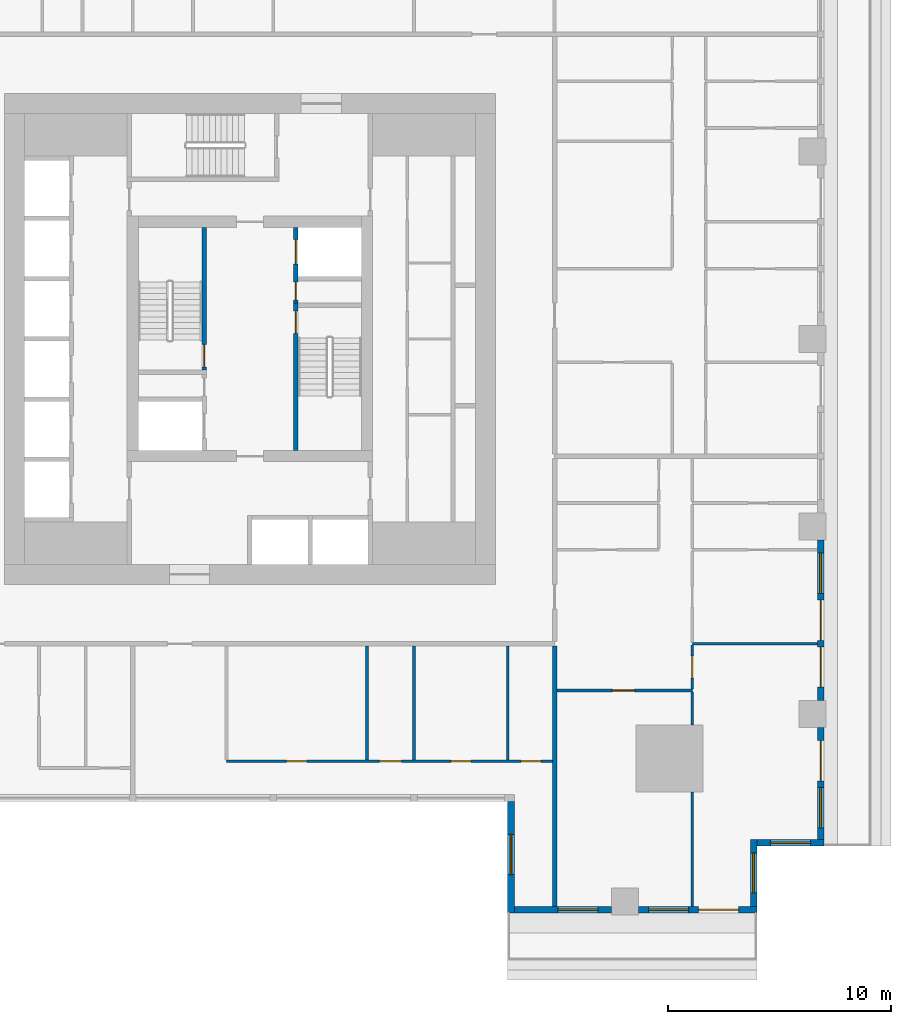
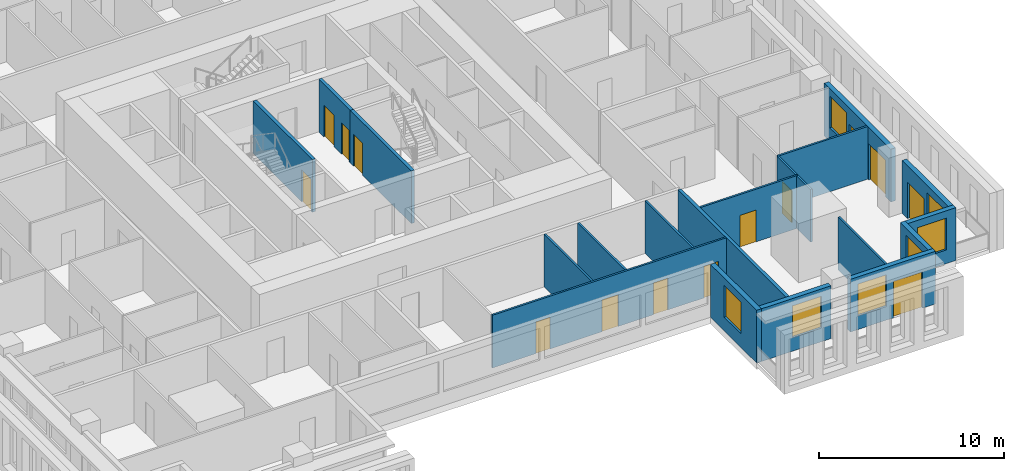
# One storey, part 4 of 14: 20 walls, 14 doors, 7 windows, 21 openings.
"""IFC4 building model written with IfcOpenShell, lengths in metres."""

from ifc_helpers import new_model, si_unit, direction, frame, frame_2d, origin, place, context, subcontext, project, spatial, rectangle, extrude, material, layer, layer_set, type_object, element, fill, save


model = new_model("IFC4")

# Units and contexts
model_context = context("Model", 3, precision=1e-05, world=origin(), true_north=direction((0.0, 1.0)))
body_context = subcontext(model_context, "Body", "Model", "MODEL_VIEW")
ifc_project = project(units=[si_unit("LENGTHUNIT", "METRE"), si_unit("AREAUNIT", "SQUARE_METRE"), si_unit("VOLUMEUNIT", "CUBIC_METRE"), si_unit("PLANEANGLEUNIT", "RADIAN"), si_unit("MASSUNIT", "GRAM", prefix="KILO")], contexts=[model_context])

# Site, building, storey
site_placement = place(None, origin())
site = spatial("IfcSite", under=ifc_project, at=site_placement, CompositionType="ELEMENT")
building_placement = place(site_placement, origin())
building = spatial("IfcBuilding", under=site, at=building_placement, Name="Khepri Terraces", CompositionType="ELEMENT")
storey_placement = place(building_placement, frame((0.0, 0.0, 62.10009765625)))
storey = spatial("IfcBuildingStorey", under=building, at=storey_placement, Name="L14", CompositionType="ELEMENT", Elevation=62.10009765625)

# Wall, opening, door
ifc_material_1 = material(Name="Concrete C80/95", Category="concrete")
ifc_layer_1 = layer(ifc_material_1, 0.199951171875, Name="Concrete C80/95", Category="concrete")
ifc_layer_set_1 = layer_set([ifc_layer_1], Name="Concrete C80/95")
wall_type_1 = type_object("IfcWallType", Name="Core wall 200 C80/95", PredefinedType="SHEAR", material=ifc_layer_set_1)
wall_1_placement = place(storey_placement, frame((2.050048828125, -5.0, 0.0), z_axis=(0.0, 0.0, 1.0), x_axis=(0.0, 1.0, 0.0)))
wall_1 = element("IfcWall", 1, at=wall_1_placement, inside=storey, type_object=wall_type_1, Name="Core wall ST01 L14", PredefinedType="SHEAR", context=body_context, shape_type="SweptSolid", body=[
    extrude(rectangle(XDim=6.60009765625, YDim=0.199951171875, at=frame_2d((3.300048828125, 0.0))), origin(), (0.0, 0.0, 1.0), 3.47998046875),
])
opening_1_placement = place(wall_1_placement, frame((5.25, 0.0, 0.0)))
opening_1 = element("IfcOpeningElement", 2, at=opening_1_placement, cuts=wall_1, Name="Opening L14-C10", PredefinedType="OPENING", context=body_context, shape_type="SweptSolid", body=[
    extrude(rectangle(XDim=1.0, YDim=2.10009765625, at=frame_2d((0.5, 1.050048828125))), frame((0.0, 0.10986328125, 0.0), z_axis=(0.0, -1.0, 0.0), x_axis=(1.0, 0.0, 0.0)), (0.0, 0.0, 1.0), 0.219970703125),
])
ifc_material_2 = material(Name="Painted steel", Category="steel")
door_type_1 = type_object("IfcDoorType", Name="DR-CORE-STAIR-1000", OperationType="NOTDEFINED", PredefinedType="DOOR", material=ifc_material_2)
door_1_placement = place(opening_1_placement, frame((1.0, 0.0, 0.0), z_axis=(0.0, 0.0, 1.0), x_axis=(-1.0, 0.0, 0.0)))
door_1 = element("IfcDoor", 3, at=door_1_placement, inside=storey, type_object=door_type_1, Name="Stair door L14-C10", OperationType="SINGLE_SWING_LEFT", OverallHeight=2.10009765625, OverallWidth=1.0, PredefinedType="DOOR", context=body_context, shape_type="SweptSolid", body=[
    extrude(rectangle(XDim=1.0, YDim=2.10009765625, at=frame_2d((0.5, 1.050048828125))), frame((0.0, 0.02490234375, 0.0), z_axis=(0.0, -1.0, 0.0), x_axis=(1.0, 0.0, 0.0)), (0.0, 0.0, 1.0), 0.050048828125),
])
fill(opening_1, door_1)

wall_2_placement = place(storey_placement, frame((-2.050048828125, -1.39990234375, 0.0), z_axis=(0.0, 0.0, 1.0), x_axis=(0.0, 1.0, 0.0)))
wall_2 = element("IfcWall", 4, at=wall_2_placement, inside=storey, type_object=wall_type_1, Name="Core wall ST03 L14", PredefinedType="SHEAR", context=body_context, shape_type="SweptSolid", body=[
    extrude(rectangle(XDim=6.39990234375, YDim=0.199951171875, at=frame_2d((3.199951171875, 0.0))), origin(), (0.0, 0.0, 1.0), 3.47998046875),
])
opening_2_placement = place(wall_2_placement, frame((0.14990234375, 0.0, 0.0)))
opening_2 = element("IfcOpeningElement", 5, at=opening_2_placement, cuts=wall_2, Name="Opening L14-C09", PredefinedType="OPENING", context=body_context, shape_type="SweptSolid", body=[
    extrude(rectangle(XDim=1.0, YDim=2.10009765625, at=frame_2d((0.5, 1.050048828125))), frame((0.0, 0.10986328125, 0.0), z_axis=(0.0, -1.0, 0.0), x_axis=(1.0, 0.0, 0.0)), (0.0, 0.0, 1.0), 0.219970703125),
])
door_2_placement = place(opening_2_placement, origin())
door_2 = element("IfcDoor", 6, at=door_2_placement, inside=storey, type_object=door_type_1, Name="Stair door L14-C09", OperationType="SINGLE_SWING_LEFT", OverallHeight=2.10009765625, OverallWidth=1.0, PredefinedType="DOOR", context=body_context, shape_type="SweptSolid", body=[
    extrude(rectangle(XDim=1.0, YDim=2.10009765625, at=frame_2d((0.5, 1.050048828125))), frame((0.0, 0.02490234375, 0.0), z_axis=(0.0, -1.0, 0.0), x_axis=(1.0, 0.0, 0.0)), (0.0, 0.0, 1.0), 0.050048828125),
])
fill(opening_2, door_2)

# Wall, openings, doors
wall_3_placement = place(storey_placement, frame((2.050048828125, 1.60009765625, 0.0), z_axis=(0.0, 0.0, 1.0), x_axis=(0.0, 1.0, 0.0)))
wall_3 = element("IfcWall", 7, at=wall_3_placement, inside=storey, type_object=wall_type_1, Name="Core wall SH15 L14", PredefinedType="SHEAR", context=body_context, shape_type="SweptSolid", body=[
    extrude(rectangle(XDim=3.39990234375, YDim=0.199951171875, at=frame_2d((1.699951171875, 0.0))), origin(), (0.0, 0.0, 1.0), 3.47998046875),
])
opening_3_placement = place(wall_3_placement, frame((1.75, 0.0, 0.0)))
opening_3 = element("IfcOpeningElement", 8, at=opening_3_placement, cuts=wall_3, Name="Opening L14-C07", PredefinedType="OPENING", context=body_context, shape_type="SweptSolid", body=[
    extrude(rectangle(XDim=1.10009765625, YDim=2.10009765625, at=frame_2d((0.550048828125, 1.050048828125))), frame((0.0, 0.10986328125, 0.0), z_axis=(0.0, -1.0, 0.0), x_axis=(1.0, 0.0, 0.0)), (0.0, 0.0, 1.0), 0.219970703125),
])
opening_4_placement = place(wall_3_placement, frame((0.14990234375, 0.0, 0.0)))
opening_4 = element("IfcOpeningElement", 9, at=opening_4_placement, cuts=wall_3, Name="Opening L14-C11", PredefinedType="OPENING", context=body_context, shape_type="SweptSolid", body=[
    extrude(rectangle(XDim=0.800048828125, YDim=2.10009765625, at=frame_2d((0.39990234375, 1.050048828125))), frame((0.0, 0.10986328125, 0.0), z_axis=(0.0, -1.0, 0.0), x_axis=(1.0, 0.0, 0.0)), (0.0, 0.0, 1.0), 0.219970703125),
])
ifc_material_3 = material(Name="Stainless steel 304", Category="steel")
door_type_2 = type_object("IfcDoorType", Name="DR-CORE-FF-LANDING-1100", OperationType="NOTDEFINED", PredefinedType="DOOR", material=ifc_material_3)
door_3_placement = place(opening_3_placement, origin())
door_3 = element("IfcDoor", 10, at=door_3_placement, inside=storey, type_object=door_type_2, Name="Firefighting lift landing door L14-C07", OperationType="SLIDING_TO_LEFT", OverallHeight=2.10009765625, OverallWidth=1.10009765625, PredefinedType="DOOR", context=body_context, shape_type="SweptSolid", body=[
    extrude(rectangle(XDim=1.10009765625, YDim=2.10009765625, at=frame_2d((0.550048828125, 1.050048828125))), frame((0.0, 0.02490234375, 0.0), z_axis=(0.0, -1.0, 0.0), x_axis=(1.0, 0.0, 0.0)), (0.0, 0.0, 1.0), 0.050048828125),
])
fill(opening_3, door_3)
door_type_3 = type_object("IfcDoorType", Name="DR-CORE-RISER-800", OperationType="NOTDEFINED", PredefinedType="DOOR", material=ifc_material_2)
door_4_placement = place(opening_4_placement, frame((0.800048828125, 0.0, 0.0), z_axis=(0.0, 0.0, 1.0), x_axis=(-1.0, 0.0, 0.0)))
door_4 = element("IfcDoor", 11, at=door_4_placement, inside=storey, type_object=door_type_3, Name="Riser door L14-C11", OperationType="SINGLE_SWING_RIGHT", OverallHeight=2.10009765625, OverallWidth=0.800048828125, PredefinedType="DOOR", context=body_context, shape_type="SweptSolid", body=[
    extrude(rectangle(XDim=0.800048828125, YDim=2.10009765625, at=frame_2d((0.39990234375, 1.050048828125))), frame((0.0, 0.02490234375, 0.0), z_axis=(0.0, -1.0, 0.0), x_axis=(1.0, 0.0, 0.0)), (0.0, 0.0, 1.0), 0.050048828125),
])
fill(opening_4, door_4)

# Wall
ifc_material_4 = material(Name="Fire-rated gypsum plasterboard partition, mineral wool")
ifc_layer_2 = layer(ifc_material_4, 0.199951171875, Name="Fire-rated gypsum plasterboard partition, mineral wool")
ifc_layer_set_2 = layer_set([ifc_layer_2], Name="Fire-rated gypsum plasterboard partition, mineral wool")
wall_type_2 = type_object("IfcWallType", Name="WL-CORR-200", PredefinedType="PARTITIONING", material=ifc_layer_set_2)
wall_4_placement = place(storey_placement, frame((13.64990234375, -25.419921875, 0.0), z_axis=(0.0, 0.0, 1.0), x_axis=(0.0, 1.0, 0.0)))
element("IfcWall", 12, at=wall_4_placement, inside=storey, type_object=wall_type_2, Name="Partition P-001 L14", PredefinedType="PARTITIONING", context=body_context, shape_type="SweptSolid", body=[
    extrude(rectangle(XDim=11.669921875, YDim=0.199951171875, at=frame_2d((5.8349609375, 0.0))), origin(), (0.0, 0.0, 1.0), 3.47998046875),
])

# Wall, opening, window
ifc_material_5 = material(Name="Precast concrete C50/60 warm stone", Category="masonry")
ifc_layer_3 = layer(ifc_material_5, 0.300048828125, Name="Precast concrete C50/60 warm stone", Category="masonry")
ifc_layer_set_3 = layer_set([ifc_layer_3], Name="Precast concrete C50/60 warm stone")
wall_type_3 = type_object("IfcWallType", Name="WL-EXT-PRECAST-300", PredefinedType="STANDARD", material=ifc_layer_set_3)
wall_5_placement = place(storey_placement, frame((22.719970703125, -22.570068359375, 0.0), z_axis=(0.0, 0.0, 1.0), x_axis=(1.0, 0.0, 0.0)))
wall_5 = element("IfcWall", 13, at=wall_5_placement, inside=storey, type_object=wall_type_3, Name="External wall L14 S", PredefinedType="STANDARD", context=body_context, shape_type="SweptSolid", body=[
    extrude(rectangle(XDim=3.0, YDim=0.300048828125, at=frame_2d((1.5, 0.0))), origin(), (0.0, 0.0, 1.0), 3.47998046875),
])
opening_5_placement = place(wall_5_placement, frame((0.60009765625, 0.0, 0.89990234375)))
opening_5 = element("IfcOpeningElement", 14, at=opening_5_placement, cuts=wall_5, Name="Opening W1", PredefinedType="OPENING", context=body_context, shape_type="SweptSolid", body=[
    extrude(rectangle(XDim=1.800048828125, YDim=2.10009765625, at=frame_2d((0.89990234375, 1.050048828125))), frame((0.0, 0.16015625, 0.0), z_axis=(0.0, -1.0, 0.0), x_axis=(1.0, 0.0, 0.0)), (0.0, 0.0, 1.0), 0.320068359375),
])
ifc_material_6 = material(Name="Clear glass", Category="glass")
window_type = type_object("IfcWindowType", Name="WIN-RES-1800x2100", PartitioningType="SINGLE_PANEL", PredefinedType="WINDOW", material=ifc_material_6)
window_1_placement = place(opening_5_placement, origin())
window_1 = element("IfcWindow", 15, at=window_1_placement, inside=storey, type_object=window_type, Name="Window L14 S", OverallHeight=2.10009765625, OverallWidth=1.800048828125, PartitioningType="SINGLE_PANEL", PredefinedType="WINDOW", context=body_context, shape_type="SweptSolid", body=[
    extrude(rectangle(XDim=1.800048828125, YDim=2.10009765625, at=frame_2d((0.89990234375, 1.050048828125))), frame((0.0, 0.030029296875, 0.0), z_axis=(0.0, -1.0, 0.0), x_axis=(1.0, 0.0, 0.0)), (0.0, 0.0, 1.0), 0.06005859375),
])
fill(opening_5, window_1)

# Wall, openings, door, window
wall_6_placement = place(storey_placement, frame((25.570068359375, -22.419921875, 0.0), z_axis=(0.0, 0.0, 1.0), x_axis=(0.0, 1.0, 0.0)))
wall_6 = element("IfcWall", 16, at=wall_6_placement, inside=storey, type_object=wall_type_3, Name="External wall L14 E", PredefinedType="STANDARD", context=body_context, shape_type="SweptSolid", body=[
    extrude(rectangle(XDim=5.02001953125, YDim=0.300048828125, at=frame_2d((2.510009765625, 0.0))), origin(), (0.0, 0.0, 1.0), 3.47998046875),
])
opening_6_placement = place(wall_6_placement, frame((0.52001953125, 0.0, 0.89990234375)))
opening_6 = element("IfcOpeningElement", 17, at=opening_6_placement, cuts=wall_6, Name="Opening W1", PredefinedType="OPENING", context=body_context, shape_type="SweptSolid", body=[
    extrude(rectangle(XDim=1.800048828125, YDim=2.10009765625, at=frame_2d((0.89990234375, 1.050048828125))), frame((0.0, 0.16015625, 0.0), z_axis=(0.0, -1.0, 0.0), x_axis=(1.0, 0.0, 0.0)), (0.0, 0.0, 1.0), 0.320068359375),
])
opening_7_placement = place(wall_6_placement, frame((2.6201171875, 0.0, 0.0)))
opening_7 = element("IfcOpeningElement", 18, at=opening_7_placement, cuts=wall_6, Name="Opening ED-L14-01", PredefinedType="OPENING", context=body_context, shape_type="SweptSolid", body=[
    extrude(rectangle(XDim=1.800048828125, YDim=2.39990234375, at=frame_2d((0.89990234375, 1.199951171875))), frame((0.0, 0.16015625, 0.0), z_axis=(0.0, -1.0, 0.0), x_axis=(1.0, 0.0, 0.0)), (0.0, 0.0, 1.0), 0.320068359375),
])
ifc_material_7 = material(Name="Anodised aluminium bronze glazed door", Category="aluminium")
door_type_4 = type_object("IfcDoorType", Name="DR-BAL-SLIDE-1800x2400", OperationType="NOTDEFINED", PredefinedType="DOOR", material=ifc_material_7)
door_5_placement = place(opening_7_placement, origin())
door_5 = element("IfcDoor", 19, at=door_5_placement, inside=storey, type_object=door_type_4, Name="Balcony door L14 E", OperationType="SLIDING_TO_RIGHT", OverallHeight=2.39990234375, OverallWidth=1.800048828125, PredefinedType="DOOR", context=body_context, shape_type="SweptSolid", body=[
    extrude(rectangle(XDim=1.800048828125, YDim=2.39990234375, at=frame_2d((0.89990234375, 1.199951171875))), frame((0.0, 0.02490234375, 0.0), z_axis=(0.0, -1.0, 0.0), x_axis=(1.0, 0.0, 0.0)), (0.0, 0.0, 1.0), 0.050048828125),
])
fill(opening_7, door_5)
window_2_placement = place(opening_6_placement, origin())
window_2 = element("IfcWindow", 20, at=window_2_placement, inside=storey, type_object=window_type, Name="Window L14 E", OverallHeight=2.10009765625, OverallWidth=1.800048828125, PartitioningType="SINGLE_PANEL", PredefinedType="WINDOW", context=body_context, shape_type="SweptSolid", body=[
    extrude(rectangle(XDim=1.800048828125, YDim=2.10009765625, at=frame_2d((0.89990234375, 1.050048828125))), frame((0.0, 0.030029296875, 0.0), z_axis=(0.0, -1.0, 0.0), x_axis=(1.0, 0.0, 0.0)), (0.0, 0.0, 1.0), 0.06005859375),
])
fill(opening_6, window_2)

# Wall, openings, doors, window
wall_7_placement = place(storey_placement, frame((25.570068359375, -16.199951171875, 0.0), z_axis=(0.0, 0.0, 1.0), x_axis=(0.0, 1.0, 0.0)))
wall_7 = element("IfcWall", 21, at=wall_7_placement, inside=storey, type_object=wall_type_3, Name="External wall L14 E", PredefinedType="STANDARD", context=body_context, shape_type="SweptSolid", body=[
    extrude(rectangle(XDim=7.199951171875, YDim=0.300048828125, at=frame_2d((3.60009765625, 0.0))), origin(), (0.0, 0.0, 1.0), 3.47998046875),
])
opening_8_placement = place(wall_7_placement, frame((0.60009765625, 0.0, 0.0)))
opening_8 = element("IfcOpeningElement", 22, at=opening_8_placement, cuts=wall_7, Name="Opening ED-L14-02", PredefinedType="OPENING", context=body_context, shape_type="SweptSolid", body=[
    extrude(rectangle(XDim=1.800048828125, YDim=2.39990234375, at=frame_2d((0.89990234375, 1.199951171875))), frame((0.0, 0.16015625, 0.0), z_axis=(0.0, -1.0, 0.0), x_axis=(1.0, 0.0, 0.0)), (0.0, 0.0, 1.0), 0.320068359375),
])
opening_9_placement = place(wall_7_placement, frame((2.699951171875, 0.0, 0.0)))
opening_9 = element("IfcOpeningElement", 23, at=opening_9_placement, cuts=wall_7, Name="Opening ED-L14-03", PredefinedType="OPENING", context=body_context, shape_type="SweptSolid", body=[
    extrude(rectangle(XDim=1.800048828125, YDim=2.39990234375, at=frame_2d((0.89990234375, 1.199951171875))), frame((0.0, 0.16015625, 0.0), z_axis=(0.0, -1.0, 0.0), x_axis=(1.0, 0.0, 0.0)), (0.0, 0.0, 1.0), 0.320068359375),
])
opening_10_placement = place(wall_7_placement, frame((4.800048828125, 0.0, 0.89990234375)))
opening_10 = element("IfcOpeningElement", 24, at=opening_10_placement, cuts=wall_7, Name="Opening W1", PredefinedType="OPENING", context=body_context, shape_type="SweptSolid", body=[
    extrude(rectangle(XDim=1.800048828125, YDim=2.10009765625, at=frame_2d((0.89990234375, 1.050048828125))), frame((0.0, 0.16015625, 0.0), z_axis=(0.0, -1.0, 0.0), x_axis=(1.0, 0.0, 0.0)), (0.0, 0.0, 1.0), 0.320068359375),
])
door_6_placement = place(opening_8_placement, origin())
door_6 = element("IfcDoor", 25, at=door_6_placement, inside=storey, type_object=door_type_4, Name="Balcony door L14 E", OperationType="SLIDING_TO_LEFT", OverallHeight=2.39990234375, OverallWidth=1.800048828125, PredefinedType="DOOR", context=body_context, shape_type="SweptSolid", body=[
    extrude(rectangle(XDim=1.800048828125, YDim=2.39990234375, at=frame_2d((0.89990234375, 1.199951171875))), frame((0.0, 0.02490234375, 0.0), z_axis=(0.0, -1.0, 0.0), x_axis=(1.0, 0.0, 0.0)), (0.0, 0.0, 1.0), 0.050048828125),
])
fill(opening_8, door_6)
door_7_placement = place(opening_9_placement, origin())
door_7 = element("IfcDoor", 26, at=door_7_placement, inside=storey, type_object=door_type_4, Name="Balcony door L14 E", OperationType="SLIDING_TO_RIGHT", OverallHeight=2.39990234375, OverallWidth=1.800048828125, PredefinedType="DOOR", context=body_context, shape_type="SweptSolid", body=[
    extrude(rectangle(XDim=1.800048828125, YDim=2.39990234375, at=frame_2d((0.89990234375, 1.199951171875))), frame((0.0, 0.02490234375, 0.0), z_axis=(0.0, -1.0, 0.0), x_axis=(1.0, 0.0, 0.0)), (0.0, 0.0, 1.0), 0.050048828125),
])
fill(opening_9, door_7)
window_3_placement = place(opening_10_placement, origin())
window_3 = element("IfcWindow", 27, at=window_3_placement, inside=storey, type_object=window_type, Name="Window L14 E", OverallHeight=2.10009765625, OverallWidth=1.800048828125, PartitioningType="SINGLE_PANEL", PredefinedType="WINDOW", context=body_context, shape_type="SweptSolid", body=[
    extrude(rectangle(XDim=1.800048828125, YDim=2.10009765625, at=frame_2d((0.89990234375, 1.050048828125))), frame((0.0, 0.030029296875, 0.0), z_axis=(0.0, -1.0, 0.0), x_axis=(1.0, 0.0, 0.0)), (0.0, 0.0, 1.0), 0.06005859375),
])
fill(opening_10, window_3)

# Wall, opening, window
wall_8_placement = place(storey_placement, frame((11.699951171875, -20.719970703125, 0.0), z_axis=(0.0, 0.0, 1.0), x_axis=(0.0, -1.0, 0.0)))
wall_8 = element("IfcWall", 28, at=wall_8_placement, inside=storey, type_object=wall_type_3, Name="External wall L14 W", PredefinedType="STANDARD", context=body_context, shape_type="SweptSolid", body=[
    extrude(rectangle(XDim=5.0, YDim=0.300048828125, at=frame_2d((2.5, 0.0))), origin(), (0.0, 0.0, 1.0), 3.47998046875),
])
opening_11_placement = place(wall_8_placement, frame((1.47998046875, 0.0, 0.89990234375)))
opening_11 = element("IfcOpeningElement", 29, at=opening_11_placement, cuts=wall_8, Name="Opening W1", PredefinedType="OPENING", context=body_context, shape_type="SweptSolid", body=[
    extrude(rectangle(XDim=1.800048828125, YDim=2.10009765625, at=frame_2d((0.89990234375, 1.050048828125))), frame((0.0, 0.16015625, 0.0), z_axis=(0.0, -1.0, 0.0), x_axis=(1.0, 0.0, 0.0)), (0.0, 0.0, 1.0), 0.320068359375),
])
window_4_placement = place(opening_11_placement, origin())
window_4 = element("IfcWindow", 30, at=window_4_placement, inside=storey, type_object=window_type, Name="Window L14 W", OverallHeight=2.10009765625, OverallWidth=1.800048828125, PartitioningType="SINGLE_PANEL", PredefinedType="WINDOW", context=body_context, shape_type="SweptSolid", body=[
    extrude(rectangle(XDim=1.800048828125, YDim=2.10009765625, at=frame_2d((0.89990234375, 1.050048828125))), frame((0.0, 0.030029296875, 0.0), z_axis=(0.0, -1.0, 0.0), x_axis=(1.0, 0.0, 0.0)), (0.0, 0.0, 1.0), 0.06005859375),
])
fill(opening_11, window_4)

wall_9_placement = place(storey_placement, frame((11.85009765625, -25.570068359375, 0.0), z_axis=(0.0, 0.0, 1.0), x_axis=(1.0, 0.0, 0.0)))
wall_9 = element("IfcWall", 31, at=wall_9_placement, inside=storey, type_object=wall_type_3, Name="External wall L14 S", PredefinedType="STANDARD", context=body_context, shape_type="SweptSolid", body=[
    extrude(rectangle(XDim=4.349853515625, YDim=0.300048828125, at=frame_2d((2.1748046875, 0.0))), origin(), (0.0, 0.0, 1.0), 3.47998046875),
])
opening_12_placement = place(wall_9_placement, frame((1.949951171875, 0.0, 0.89990234375)))
opening_12 = element("IfcOpeningElement", 32, at=opening_12_placement, cuts=wall_9, Name="Opening W1", PredefinedType="OPENING", context=body_context, shape_type="SweptSolid", body=[
    extrude(rectangle(XDim=1.800048828125, YDim=2.10009765625, at=frame_2d((0.89990234375, 1.050048828125))), frame((0.0, 0.16015625, 0.0), z_axis=(0.0, -1.0, 0.0), x_axis=(1.0, 0.0, 0.0)), (0.0, 0.0, 1.0), 0.320068359375),
])
window_5_placement = place(opening_12_placement, origin())
window_5 = element("IfcWindow", 33, at=window_5_placement, inside=storey, type_object=window_type, Name="Window L14 S", OverallHeight=2.10009765625, OverallWidth=1.800048828125, PartitioningType="SINGLE_PANEL", PredefinedType="WINDOW", context=body_context, shape_type="SweptSolid", body=[
    extrude(rectangle(XDim=1.800048828125, YDim=2.10009765625, at=frame_2d((0.89990234375, 1.050048828125))), frame((0.0, 0.030029296875, 0.0), z_axis=(0.0, -1.0, 0.0), x_axis=(1.0, 0.0, 0.0)), (0.0, 0.0, 1.0), 0.06005859375),
])
fill(opening_12, window_5)

# Wall, openings, door, window
wall_10_placement = place(storey_placement, frame((17.39990234375, -25.570068359375, 0.0), z_axis=(0.0, 0.0, 1.0), x_axis=(1.0, 0.0, 0.0)))
wall_10 = element("IfcWall", 34, at=wall_10_placement, inside=storey, type_object=wall_type_3, Name="External wall L14 S", PredefinedType="STANDARD", context=body_context, shape_type="SweptSolid", body=[
    extrude(rectangle(XDim=5.320068359375, YDim=0.300048828125, at=frame_2d((2.66015625, 0.0))), origin(), (0.0, 0.0, 1.0), 3.47998046875),
])
opening_13_placement = place(wall_10_placement, frame((2.699951171875, 0.0, 0.0)))
opening_13 = element("IfcOpeningElement", 35, at=opening_13_placement, cuts=wall_10, Name="Opening ED-L14-21", PredefinedType="OPENING", context=body_context, shape_type="SweptSolid", body=[
    extrude(rectangle(XDim=1.800048828125, YDim=2.39990234375, at=frame_2d((0.89990234375, 1.199951171875))), frame((0.0, 0.16015625, 0.0), z_axis=(0.0, -1.0, 0.0), x_axis=(1.0, 0.0, 0.0)), (0.0, 0.0, 1.0), 0.320068359375),
])
opening_14_placement = place(wall_10_placement, frame((0.4599609375, 0.0, 0.89990234375)))
opening_14 = element("IfcOpeningElement", 36, at=opening_14_placement, cuts=wall_10, Name="Opening W1", PredefinedType="OPENING", context=body_context, shape_type="SweptSolid", body=[
    extrude(rectangle(XDim=1.800048828125, YDim=2.10009765625, at=frame_2d((0.89990234375, 1.050048828125))), frame((0.0, 0.16015625, 0.0), z_axis=(0.0, -1.0, 0.0), x_axis=(1.0, 0.0, 0.0)), (0.0, 0.0, 1.0), 0.320068359375),
])
door_8_placement = place(opening_13_placement, origin())
door_8 = element("IfcDoor", 37, at=door_8_placement, inside=storey, type_object=door_type_4, Name="Balcony door L14 S", OperationType="SLIDING_TO_LEFT", OverallHeight=2.39990234375, OverallWidth=1.800048828125, PredefinedType="DOOR", context=body_context, shape_type="SweptSolid", body=[
    extrude(rectangle(XDim=1.800048828125, YDim=2.39990234375, at=frame_2d((0.89990234375, 1.199951171875))), frame((0.0, 0.02490234375, 0.0), z_axis=(0.0, -1.0, 0.0), x_axis=(1.0, 0.0, 0.0)), (0.0, 0.0, 1.0), 0.050048828125),
])
fill(opening_13, door_8)
window_6_placement = place(opening_14_placement, origin())
window_6 = element("IfcWindow", 38, at=window_6_placement, inside=storey, type_object=window_type, Name="Window L14 S", OverallHeight=2.10009765625, OverallWidth=1.800048828125, PartitioningType="SINGLE_PANEL", PredefinedType="WINDOW", context=body_context, shape_type="SweptSolid", body=[
    extrude(rectangle(XDim=1.800048828125, YDim=2.10009765625, at=frame_2d((0.89990234375, 1.050048828125))), frame((0.0, 0.030029296875, 0.0), z_axis=(0.0, -1.0, 0.0), x_axis=(1.0, 0.0, 0.0)), (0.0, 0.0, 1.0), 0.06005859375),
])
fill(opening_14, window_6)

# Wall, opening, window
wall_11_placement = place(storey_placement, frame((22.570068359375, -25.419921875, 0.0), z_axis=(0.0, 0.0, 1.0), x_axis=(0.0, 1.0, 0.0)))
wall_11 = element("IfcWall", 39, at=wall_11_placement, inside=storey, type_object=wall_type_3, Name="External wall L14 E", PredefinedType="STANDARD", context=body_context, shape_type="SweptSolid", body=[
    extrude(rectangle(XDim=3.0, YDim=0.300048828125, at=frame_2d((1.5, 0.0))), origin(), (0.0, 0.0, 1.0), 3.47998046875),
])
opening_15_placement = place(wall_11_placement, frame((0.60009765625, 0.0, 0.89990234375)))
opening_15 = element("IfcOpeningElement", 40, at=opening_15_placement, cuts=wall_11, Name="Opening W1", PredefinedType="OPENING", context=body_context, shape_type="SweptSolid", body=[
    extrude(rectangle(XDim=1.800048828125, YDim=2.10009765625, at=frame_2d((0.89990234375, 1.050048828125))), frame((0.0, 0.16015625, 0.0), z_axis=(0.0, -1.0, 0.0), x_axis=(1.0, 0.0, 0.0)), (0.0, 0.0, 1.0), 0.320068359375),
])
window_7_placement = place(opening_15_placement, origin())
window_7 = element("IfcWindow", 41, at=window_7_placement, inside=storey, type_object=window_type, Name="Window L14 E", OverallHeight=2.10009765625, OverallWidth=1.800048828125, PartitioningType="SINGLE_PANEL", PredefinedType="WINDOW", context=body_context, shape_type="SweptSolid", body=[
    extrude(rectangle(XDim=1.800048828125, YDim=2.10009765625, at=frame_2d((0.89990234375, 1.050048828125))), frame((0.0, 0.030029296875, 0.0), z_axis=(0.0, -1.0, 0.0), x_axis=(1.0, 0.0, 0.0)), (0.0, 0.0, 1.0), 0.06005859375),
])
fill(opening_15, window_7)

# Wall
ifc_material_8 = material(Name="Gypsum plasterboard partition")
ifc_layer_4 = layer(ifc_material_8, 0.1201171875, Name="Gypsum plasterboard partition")
ifc_layer_set_4 = layer_set([ifc_layer_4], Name="Gypsum plasterboard partition")
wall_type_4 = type_object("IfcWallType", Name="WL-PART-120", PredefinedType="PARTITIONING", material=ifc_layer_set_4)
wall_12_placement = place(storey_placement, frame((19.820068359375, -25.419921875, 0.0), z_axis=(0.0, 0.0, 1.0), x_axis=(0.0, 1.0, 0.0)))
element("IfcWall", 42, at=wall_12_placement, inside=storey, type_object=wall_type_4, Name="Partition P-002 L14", PredefinedType="PARTITIONING", context=body_context, shape_type="SweptSolid", body=[
    extrude(rectangle(XDim=5.119873046875, YDim=0.1201171875, at=frame_2d((2.56005859375, 0.0))), origin(), (0.0, 0.0, 1.0), 3.47998046875),
])

# Wall, openings, doors
wall_13_placement = place(storey_placement, frame((-1.050048828125, -18.919921875, 0.0), z_axis=(0.0, 0.0, 1.0), x_axis=(1.0, 0.0, 0.0)))
wall_13 = element("IfcWall", 43, at=wall_13_placement, inside=storey, type_object=wall_type_4, Name="Partition P-010 L14", PredefinedType="PARTITIONING", context=body_context, shape_type="SweptSolid", body=[
    extrude(rectangle(XDim=14.60009765625, YDim=0.1201171875, at=frame_2d((7.300048828125, 0.0))), origin(), (0.0, 0.0, 1.0), 3.47998046875),
])
opening_16_placement = place(wall_13_placement, frame((2.699951171875, 0.0, 0.0)))
opening_16 = element("IfcOpeningElement", 44, at=opening_16_placement, cuts=wall_13, Name="Opening D3", PredefinedType="OPENING", context=body_context, shape_type="SweptSolid", body=[
    extrude(rectangle(XDim=0.89990234375, YDim=2.10009765625, at=frame_2d((0.449951171875, 1.050048828125))), frame((0.0, 0.070068359375, 0.0), z_axis=(0.0, -1.0, 0.0), x_axis=(1.0, 0.0, 0.0)), (0.0, 0.0, 1.0), 0.14013671875),
])
opening_17_placement = place(wall_13_placement, frame((6.85009765625, 0.0, 0.0)))
opening_17 = element("IfcOpeningElement", 45, at=opening_17_placement, cuts=wall_13, Name="Opening D2", PredefinedType="OPENING", context=body_context, shape_type="SweptSolid", body=[
    extrude(rectangle(XDim=1.0, YDim=2.10009765625, at=frame_2d((0.5, 1.050048828125))), frame((0.0, 0.070068359375, 0.0), z_axis=(0.0, -1.0, 0.0), x_axis=(1.0, 0.0, 0.0)), (0.0, 0.0, 1.0), 0.14013671875),
])
opening_18_placement = place(wall_13_placement, frame((10.050048828125, 0.0, 0.0)))
opening_18 = element("IfcOpeningElement", 46, at=opening_18_placement, cuts=wall_13, Name="Opening D3", PredefinedType="OPENING", context=body_context, shape_type="SweptSolid", body=[
    extrude(rectangle(XDim=0.89990234375, YDim=2.10009765625, at=frame_2d((0.449951171875, 1.050048828125))), frame((0.0, 0.070068359375, 0.0), z_axis=(0.0, -1.0, 0.0), x_axis=(1.0, 0.0, 0.0)), (0.0, 0.0, 1.0), 0.14013671875),
])
opening_19_placement = place(wall_13_placement, frame((13.199951171875, 0.0, 0.0)))
opening_19 = element("IfcOpeningElement", 47, at=opening_19_placement, cuts=wall_13, Name="Opening D4", PredefinedType="OPENING", context=body_context, shape_type="SweptSolid", body=[
    extrude(rectangle(XDim=0.89990234375, YDim=2.10009765625, at=frame_2d((0.449951171875, 1.050048828125))), frame((0.0, 0.070068359375, 0.0), z_axis=(0.0, -1.0, 0.0), x_axis=(1.0, 0.0, 0.0)), (0.0, 0.0, 1.0), 0.14013671875),
])
ifc_material_9 = material(Name="Timber door leaf, living room door", Category="wood")
door_type_5 = type_object("IfcDoorType", Name="DR-INT-1000", OperationType="NOTDEFINED", PredefinedType="DOOR", material=ifc_material_9)
door_9_placement = place(opening_17_placement, origin())
door_9 = element("IfcDoor", 48, at=door_9_placement, inside=storey, type_object=door_type_5, Name="Door Family Room", OperationType="SINGLE_SWING_RIGHT", OverallHeight=2.10009765625, OverallWidth=1.0, PredefinedType="DOOR", context=body_context, shape_type="SweptSolid", body=[
    extrude(rectangle(XDim=1.0, YDim=2.10009765625, at=frame_2d((0.5, 1.050048828125))), frame((0.0, 0.02490234375, 0.0), z_axis=(0.0, -1.0, 0.0), x_axis=(1.0, 0.0, 0.0)), (0.0, 0.0, 1.0), 0.050048828125),
])
fill(opening_17, door_9)
ifc_material_10 = material(Name="Timber door leaf", Category="wood")
door_type_6 = type_object("IfcDoorType", Name="DR-INT-900", OperationType="NOTDEFINED", PredefinedType="DOOR", material=ifc_material_10)
door_10_placement = place(opening_16_placement, origin())
door_10 = element("IfcDoor", 49, at=door_10_placement, inside=storey, type_object=door_type_6, Name="Door Kitchen", OperationType="SINGLE_SWING_LEFT", OverallHeight=2.10009765625, OverallWidth=0.89990234375, PredefinedType="DOOR", context=body_context, shape_type="SweptSolid", body=[
    extrude(rectangle(XDim=0.89990234375, YDim=2.10009765625, at=frame_2d((0.449951171875, 1.050048828125))), frame((0.0, 0.02490234375, 0.0), z_axis=(0.0, -1.0, 0.0), x_axis=(1.0, 0.0, 0.0)), (0.0, 0.0, 1.0), 0.050048828125),
])
fill(opening_16, door_10)
door_11_placement = place(opening_18_placement, origin())
door_11 = element("IfcDoor", 50, at=door_11_placement, inside=storey, type_object=door_type_6, Name="Door Staff Bedroom", OperationType="SINGLE_SWING_RIGHT", OverallHeight=2.10009765625, OverallWidth=0.89990234375, PredefinedType="DOOR", context=body_context, shape_type="SweptSolid", body=[
    extrude(rectangle(XDim=0.89990234375, YDim=2.10009765625, at=frame_2d((0.449951171875, 1.050048828125))), frame((0.0, 0.02490234375, 0.0), z_axis=(0.0, -1.0, 0.0), x_axis=(1.0, 0.0, 0.0)), (0.0, 0.0, 1.0), 0.050048828125),
])
fill(opening_18, door_11)
ifc_material_11 = material(Name="Timber door leaf, moisture resistant", Category="wood")
door_type_7 = type_object("IfcDoorType", Name="DR-WET-900", OperationType="NOTDEFINED", PredefinedType="DOOR", material=ifc_material_11)
door_12_placement = place(opening_19_placement, origin())
door_12 = element("IfcDoor", 51, at=door_12_placement, inside=storey, type_object=door_type_7, Name="Door Guest Bathroom", OperationType="SINGLE_SWING_RIGHT", OverallHeight=2.10009765625, OverallWidth=0.89990234375, PredefinedType="DOOR", context=body_context, shape_type="SweptSolid", body=[
    extrude(rectangle(XDim=0.89990234375, YDim=2.10009765625, at=frame_2d((0.449951171875, 1.050048828125))), frame((0.0, 0.02490234375, 0.0), z_axis=(0.0, -1.0, 0.0), x_axis=(1.0, 0.0, 0.0)), (0.0, 0.0, 1.0), 0.050048828125),
])
fill(opening_19, door_12)

# Walls
for number, where, z_axis, x_axis, name in (
    (52, (5.25, -18.860107421875, 0.0), (0.0, 0.0, 1.0), (0.0, 1.0, 0.0), "Partition P-012 L14"),
    (53, (7.35009765625, -18.860107421875, 0.0), (0.0, 0.0, 1.0), (0.0, 1.0, 0.0), "Partition P-013 L14"),
    (54, (11.550048828125, -18.860107421875, 0.0), (0.0, 0.0, 1.0), (0.0, 1.0, 0.0), "Partition P-014 L14"),
):
    element("IfcWall", number, at=place(storey_placement, frame(where, z_axis=z_axis, x_axis=x_axis)), inside=storey, type_object=wall_type_4, Name=name, PredefinedType="PARTITIONING", context=body_context, shape_type="SweptSolid", body=[
        extrude(rectangle(XDim=5.110107421875, YDim=0.1201171875, at=frame_2d((2.55517578125, 0.0))), origin(), (0.0, 0.0, 1.0), 3.47998046875),
    ])
wall_14_placement = place(storey_placement, frame((19.820068359375, -17.300048828125, 0.0), z_axis=(0.0, 0.0, 1.0), x_axis=(0.0, 1.0, 0.0)))
element("IfcWall", 55, at=wall_14_placement, inside=storey, type_object=wall_type_4, Name="Partition P-015 L14", PredefinedType="PARTITIONING", context=body_context, shape_type="SweptSolid", body=[
    extrude(rectangle(XDim=1.489990234375, YDim=0.1201171875, at=frame_2d((0.7451171875, 0.0))), origin(), (0.0, 0.0, 1.0), 3.47998046875),
])

# Wall, opening, door
wall_15_placement = place(storey_placement, frame((13.75, -15.75, 0.0), z_axis=(0.0, 0.0, 1.0), x_axis=(1.0, 0.0, 0.0)))
wall_15 = element("IfcWall", 56, at=wall_15_placement, inside=storey, type_object=wall_type_4, Name="Partition P-016 L14", PredefinedType="PARTITIONING", context=body_context, shape_type="SweptSolid", body=[
    extrude(rectangle(XDim=6.070068359375, YDim=0.1201171875, at=frame_2d((3.03515625, 0.0))), origin(), (0.0, 0.0, 1.0), 3.47998046875),
])
opening_20_placement = place(wall_15_placement, frame((2.485107421875, 0.0, 0.0)))
opening_20 = element("IfcOpeningElement", 57, at=opening_20_placement, cuts=wall_15, Name="Opening D2", PredefinedType="OPENING", context=body_context, shape_type="SweptSolid", body=[
    extrude(rectangle(XDim=1.0, YDim=2.10009765625, at=frame_2d((0.5, 1.050048828125))), frame((0.0, 0.070068359375, 0.0), z_axis=(0.0, -1.0, 0.0), x_axis=(1.0, 0.0, 0.0)), (0.0, 0.0, 1.0), 0.14013671875),
])
door_13_placement = place(opening_20_placement, frame((1.0, 0.0, 0.0), z_axis=(0.0, 0.0, 1.0), x_axis=(-1.0, 0.0, 0.0)))
door_13 = element("IfcDoor", 58, at=door_13_placement, inside=storey, type_object=door_type_5, Name="Door Family Room", OperationType="SINGLE_SWING_RIGHT", OverallHeight=2.10009765625, OverallWidth=1.0, PredefinedType="DOOR", context=body_context, shape_type="SweptSolid", body=[
    extrude(rectangle(XDim=1.0, YDim=2.10009765625, at=frame_2d((0.5, 1.050048828125))), frame((0.0, 0.02490234375, 0.0), z_axis=(0.0, -1.0, 0.0), x_axis=(1.0, 0.0, 0.0)), (0.0, 0.0, 1.0), 0.050048828125),
])
fill(opening_20, door_13)

wall_16_placement = place(storey_placement, frame((19.820068359375, -15.68994140625, 0.0), z_axis=(0.0, 0.0, 1.0), x_axis=(0.0, 1.0, 0.0)))
wall_16 = element("IfcWall", 59, at=wall_16_placement, inside=storey, type_object=wall_type_4, Name="Partition P-017 L14", PredefinedType="PARTITIONING", context=body_context, shape_type="SweptSolid", body=[
    extrude(rectangle(XDim=1.97998046875, YDim=0.1201171875, at=frame_2d((0.989990234375, 0.0))), origin(), (0.0, 0.0, 1.0), 3.47998046875),
])
opening_21_placement = place(wall_16_placement, frame((0.489990234375, 0.0, 0.0)))
opening_21 = element("IfcOpeningElement", 60, at=opening_21_placement, cuts=wall_16, Name="Opening D2", PredefinedType="OPENING", context=body_context, shape_type="SweptSolid", body=[
    extrude(rectangle(XDim=1.0, YDim=2.10009765625, at=frame_2d((0.5, 1.050048828125))), frame((0.0, 0.070068359375, 0.0), z_axis=(0.0, -1.0, 0.0), x_axis=(1.0, 0.0, 0.0)), (0.0, 0.0, 1.0), 0.14013671875),
])
door_14_placement = place(opening_21_placement, frame((1.0, 0.0, 0.0), z_axis=(0.0, 0.0, 1.0), x_axis=(-1.0, 0.0, 0.0)))
door_14 = element("IfcDoor", 61, at=door_14_placement, inside=storey, type_object=door_type_5, Name="Door Living Room", OperationType="SINGLE_SWING_LEFT", OverallHeight=2.10009765625, OverallWidth=1.0, PredefinedType="DOOR", context=body_context, shape_type="SweptSolid", body=[
    extrude(rectangle(XDim=1.0, YDim=2.10009765625, at=frame_2d((0.5, 1.050048828125))), frame((0.0, 0.02490234375, 0.0), z_axis=(0.0, -1.0, 0.0), x_axis=(1.0, 0.0, 0.0)), (0.0, 0.0, 1.0), 0.050048828125),
])
fill(opening_21, door_14)

# Wall
wall_17_placement = place(storey_placement, frame((19.820068359375, -13.64990234375, 0.0), z_axis=(0.0, 0.0, 1.0), x_axis=(1.0, 0.0, 0.0)))
element("IfcWall", 62, at=wall_17_placement, inside=storey, type_object=wall_type_4, Name="Partition P-019 L14", PredefinedType="PARTITIONING", context=body_context, shape_type="SweptSolid", body=[
    extrude(rectangle(XDim=5.599853515625, YDim=0.1201171875, at=frame_2d((2.7998046875, 0.0))), origin(), (0.0, 0.0, 1.0), 3.47998046875),
])

save(model, "model.ifc")
